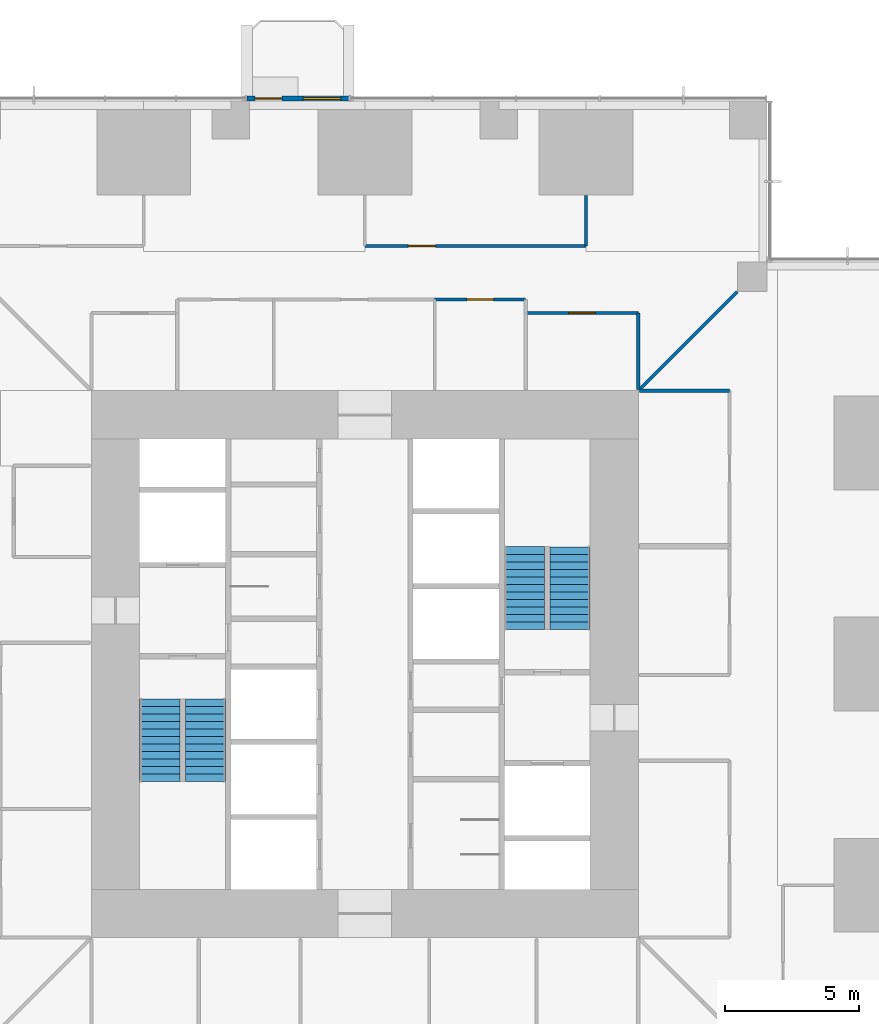
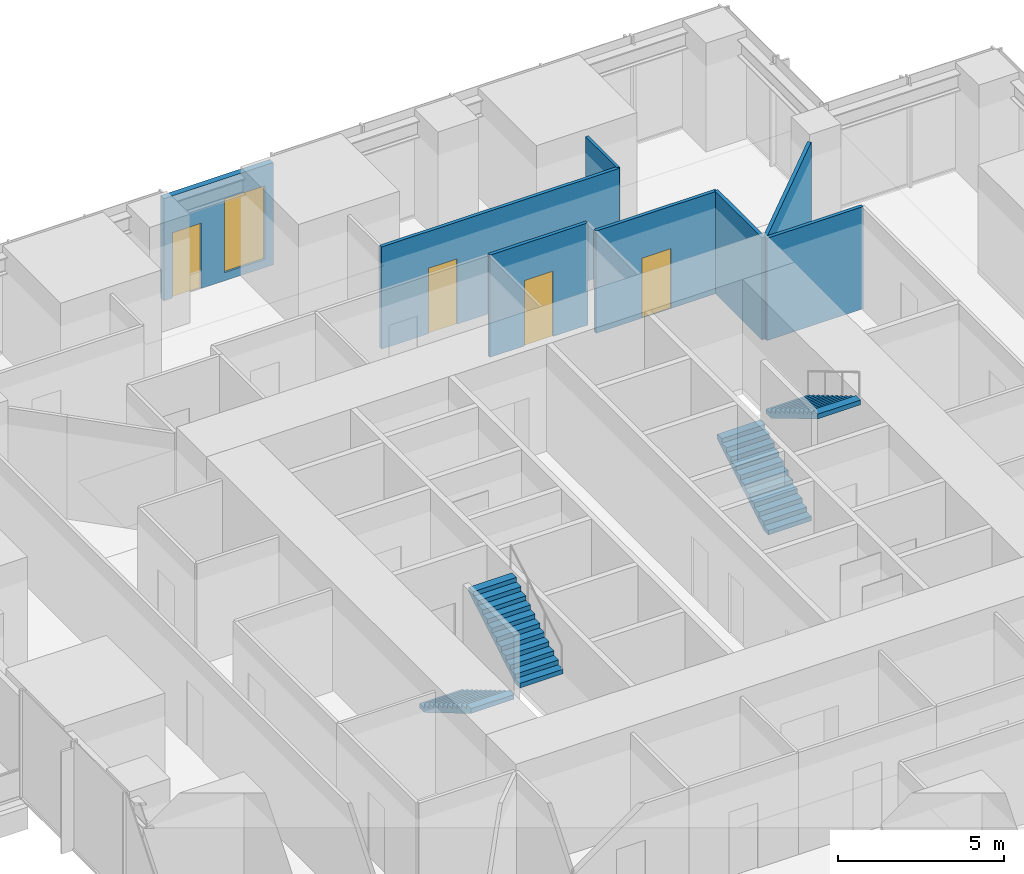
# One storey, part 12 of 15: 8 walls, 4 doors, 4 stair flights, 1 window, 5 openings, 2 elements without a shape of their own.
"""IFC4 building model written with IfcOpenShell, lengths in metres."""

from ifc_helpers import new_model, si_unit, direction, frame, frame_2d, origin, place, context, subcontext, project, spatial, polyline, rectangle, outline, extrude, material, layer, layer_set, type_object, element, fill, aggregate, save


model = new_model("IFC4")

# Units and contexts
model_context = context("Model", 3, precision=1e-05, world=origin(), true_north=direction((0.0, 1.0)))
body_context = subcontext(model_context, "Body", "Model", "MODEL_VIEW")
ifc_project = project(units=[si_unit("LENGTHUNIT", "METRE"), si_unit("AREAUNIT", "SQUARE_METRE"), si_unit("VOLUMEUNIT", "CUBIC_METRE"), si_unit("PLANEANGLEUNIT", "RADIAN"), si_unit("MASSUNIT", "GRAM", prefix="KILO")], contexts=[model_context])

# Site, building, storey
site_placement = place(None, origin())
site = spatial("IfcSite", under=ifc_project, at=site_placement, CompositionType="ELEMENT")
building_placement = place(site_placement, origin())
building = spatial("IfcBuilding", under=site, at=building_placement, Name="Svetlomir Tower", CompositionType="ELEMENT")
storey_placement = place(building_placement, frame((0.0, 0.0, 42.5)))
storey = spatial("IfcBuildingStorey", under=building, at=storey_placement, Name="L09", CompositionType="ELEMENT", Elevation=42.5)

# Wall, openings, door, window
ifc_material_1 = material(Name="Bronze anodised aluminium glazed screen", Category="aluminium")
ifc_layer_1 = layer(ifc_material_1, 0.199951171875)
ifc_layer_set_1 = layer_set([ifc_layer_1], Name="Bronze anodised aluminium glazed screen")
wall_type_1 = type_object("IfcWallType", Name="BALCONY SCREEN WALL 200", PredefinedType="USERDEFINED", material=ifc_layer_set_1)
wall_1_placement = place(storey_placement, frame((20.39990234375, 42.10009765625, 0.0), z_axis=(0.0, 0.0, 1.0), x_axis=(-1.0, 0.0, 0.0)))
wall_1 = element("IfcWall", 1, at=wall_1_placement, inside=storey, type_object=wall_type_1, Name="Balcony screen N", ObjectType="GLAZED SCREEN", PredefinedType="USERDEFINED", context=body_context, shape_type="SweptSolid", body=[
    extrude(rectangle(XDim=3.7998046875, YDim=0.199951171875, at=frame_2d((1.89990234375, 0.0))), origin(), (0.0, 0.0, 1.0), 3.75),
])
opening_1_placement = place(wall_1_placement, frame((2.5, 0.0, 0.0)))
opening_1 = element("IfcOpeningElement", 2, at=opening_1_placement, cuts=wall_1, Name="Opening BD", PredefinedType="OPENING", context=body_context, shape_type="SweptSolid", body=[
    extrude(rectangle(XDim=1.0, YDim=2.39990234375, at=frame_2d((0.5, 1.199951171875))), frame((0.0, 0.10986328125, 0.0), z_axis=(0.0, -1.0, 0.0), x_axis=(1.0, 0.0, 0.0)), (0.0, 0.0, 1.0), 0.219970703125),
])
opening_2_placement = place(wall_1_placement, frame((0.300048828125, 0.0, 0.300048828125)))
opening_2 = element("IfcOpeningElement", 3, at=opening_2_placement, cuts=wall_1, Name="Opening WS2", PredefinedType="OPENING", context=body_context, shape_type="SweptSolid", body=[
    extrude(rectangle(XDim=1.39990234375, YDim=2.699951171875, at=frame_2d((0.699951171875, 1.35009765625))), frame((0.0, 0.10986328125, 0.0), z_axis=(0.0, -1.0, 0.0), x_axis=(1.0, 0.0, 0.0)), (0.0, 0.0, 1.0), 0.219970703125),
])
ifc_material_2 = material(Name="Bronze anodised aluminium glazed door", Category="aluminium")
door_type_1 = type_object("IfcDoorType", Name="BALCONY DOOR BD 1000x2400", OperationType="SINGLE_SWING_LEFT", PredefinedType="DOOR", material=ifc_material_2)
door_1_placement = place(opening_1_placement, origin())
door_1 = element("IfcDoor", 4, at=door_1_placement, inside=storey, type_object=door_type_1, Name="Balcony screen N door", OperationType="SINGLE_SWING_LEFT", OverallHeight=2.39990234375, OverallWidth=1.0, PredefinedType="DOOR", context=body_context, shape_type="SweptSolid", body=[
    extrude(rectangle(XDim=1.0, YDim=2.39990234375, at=frame_2d((0.5, 1.199951171875))), frame((0.0, 0.02490234375, 0.0), z_axis=(0.0, -1.0, 0.0), x_axis=(1.0, 0.0, 0.0)), (0.0, 0.0, 1.0), 0.050048828125),
])
fill(opening_1, door_1)
ifc_material_3 = material(Name="Bronze anodised aluminium window", Category="aluminium")
window_type = type_object("IfcWindowType", Name="SCREEN WINDOW WS2 1400x2700", PartitioningType="SINGLE_PANEL", PredefinedType="WINDOW", material=ifc_material_3)
window_placement = place(opening_2_placement, origin())
window = element("IfcWindow", 5, at=window_placement, inside=storey, type_object=window_type, Name="Balcony screen N window 1", OverallHeight=2.699951171875, OverallWidth=1.39990234375, PartitioningType="SINGLE_PANEL", PredefinedType="WINDOW", context=body_context, shape_type="SweptSolid", body=[
    extrude(rectangle(XDim=1.39990234375, YDim=2.699951171875, at=frame_2d((0.699951171875, 1.35009765625))), frame((0.0, 0.030029296875, 0.0), z_axis=(0.0, -1.0, 0.0), x_axis=(1.0, 0.0, 0.0)), (0.0, 0.0, 1.0), 0.06005859375),
])
fill(opening_2, window)

# Wall
ifc_material_4 = material(Name="Framed laminated glass partition", Category="glass")
ifc_layer_2 = layer(ifc_material_4, 0.10009765625)
ifc_layer_set_2 = layer_set([ifc_layer_2], Name="Framed laminated glass partition")
wall_type_2 = type_object("IfcWallType", Name="GLAZED PARTITION 100", PredefinedType="PARTITIONING", material=ifc_layer_set_2)
wall_2_placement = place(storey_placement, frame((29.25, 36.60009765625, 0.0), z_axis=(0.0, 0.0, 1.0), x_axis=(0.0, 1.0, 0.0)))
element("IfcWall", 6, at=wall_2_placement, inside=storey, type_object=wall_type_2, Name="Glazed partition L09", PredefinedType="PARTITIONING", context=body_context, shape_type="SweptSolid", body=[
    extrude(rectangle(XDim=1.889892578125, YDim=0.10009765625, at=frame_2d((0.94482421875, 0.0))), origin(), (0.0, 0.0, 1.0), 3.75),
])

# Wall, opening, door
ifc_material_5 = material(Name="Gypsum board on steel studs", Category="steel")
ifc_layer_3 = layer(ifc_material_5, 0.1201171875)
ifc_layer_set_3 = layer_set([ifc_layer_3], Name="Gypsum board on steel studs")
wall_type_3 = type_object("IfcWallType", Name="PARTITION 120", PredefinedType="PARTITIONING", material=ifc_layer_set_3)
wall_3_placement = place(storey_placement, frame((21.0, 36.60009765625, 0.0), z_axis=(0.0, 0.0, 1.0), x_axis=(1.0, 0.0, 0.0)))
wall_3 = element("IfcWall", 7, at=wall_3_placement, inside=storey, type_object=wall_type_3, Name="Partition L09", PredefinedType="PARTITIONING", context=body_context, shape_type="SweptSolid", body=[
    extrude(rectangle(XDim=8.25, YDim=0.1201171875, at=frame_2d((4.125, 0.0))), origin(), (0.0, 0.0, 1.0), 3.75),
])
opening_3_placement = place(wall_3_placement, frame((1.625, 0.0, 0.0)))
opening_3 = element("IfcOpeningElement", 8, at=opening_3_placement, cuts=wall_3, Name="Opening DG", PredefinedType="OPENING", context=body_context, shape_type="SweptSolid", body=[
    extrude(rectangle(XDim=1.0, YDim=2.39990234375, at=frame_2d((0.5, 1.199951171875))), frame((0.0, 0.070068359375, 0.0), z_axis=(0.0, -1.0, 0.0), x_axis=(1.0, 0.0, 0.0)), (0.0, 0.0, 1.0), 0.14013671875),
])
ifc_material_6 = material(Name="Framed laminated glass door", Category="glass")
door_type_2 = type_object("IfcDoorType", Name="GLAZED DOOR DG 1000x2400", OperationType="SINGLE_SWING_LEFT", PredefinedType="DOOR", material=ifc_material_6)
door_2_placement = place(opening_3_placement, origin())
door_2 = element("IfcDoor", 9, at=door_2_placement, inside=storey, type_object=door_type_2, Name="Device test room door L09", OperationType="SINGLE_SWING_LEFT", OverallHeight=2.39990234375, OverallWidth=1.0, PredefinedType="DOOR", context=body_context, shape_type="SweptSolid", body=[
    extrude(rectangle(XDim=1.0, YDim=2.39990234375, at=frame_2d((0.5, 1.199951171875))), frame((0.0, 0.02490234375, 0.0), z_axis=(0.0, -1.0, 0.0), x_axis=(1.0, 0.0, 0.0)), (0.0, 0.0, 1.0), 0.050048828125),
])
fill(opening_3, door_2)

wall_4_placement = place(storey_placement, frame((23.60009765625, 34.60009765625, 0.0), z_axis=(0.0, 0.0, 1.0), x_axis=(1.0, 0.0, 0.0)))
wall_4 = element("IfcWall", 10, at=wall_4_placement, inside=storey, type_object=wall_type_3, Name="Partition L09", PredefinedType="PARTITIONING", context=body_context, shape_type="SweptSolid", body=[
    extrude(rectangle(XDim=3.39990234375, YDim=0.1201171875, at=frame_2d((1.699951171875, 0.0))), origin(), (0.0, 0.0, 1.0), 3.75),
])
opening_4_placement = place(wall_4_placement, frame((1.199951171875, 0.0, 0.0)))
opening_4 = element("IfcOpeningElement", 11, at=opening_4_placement, cuts=wall_4, Name="Opening DG", PredefinedType="OPENING", context=body_context, shape_type="SweptSolid", body=[
    extrude(rectangle(XDim=1.0, YDim=2.39990234375, at=frame_2d((0.5, 1.199951171875))), frame((0.0, 0.070068359375, 0.0), z_axis=(0.0, -1.0, 0.0), x_axis=(1.0, 0.0, 0.0)), (0.0, 0.0, 1.0), 0.14013671875),
])
door_3_placement = place(opening_4_placement, origin())
door_3 = element("IfcDoor", 12, at=door_3_placement, inside=storey, type_object=door_type_2, Name="Focus room door L09", OperationType="SINGLE_SWING_LEFT", OverallHeight=2.39990234375, OverallWidth=1.0, PredefinedType="DOOR", context=body_context, shape_type="SweptSolid", body=[
    extrude(rectangle(XDim=1.0, YDim=2.39990234375, at=frame_2d((0.5, 1.199951171875))), frame((0.0, 0.02490234375, 0.0), z_axis=(0.0, -1.0, 0.0), x_axis=(1.0, 0.0, 0.0)), (0.0, 0.0, 1.0), 0.050048828125),
])
fill(opening_4, door_3)

wall_5_placement = place(storey_placement, frame((27.0, 34.10009765625, 0.0), z_axis=(0.0, 0.0, 1.0), x_axis=(1.0, 0.0, 0.0)))
wall_5 = element("IfcWall", 13, at=wall_5_placement, inside=storey, type_object=wall_type_3, Name="Partition L09", PredefinedType="PARTITIONING", context=body_context, shape_type="SweptSolid", body=[
    extrude(rectangle(XDim=4.199951171875, YDim=0.1201171875, at=frame_2d((2.10009765625, 0.0))), origin(), (0.0, 0.0, 1.0), 3.75),
])
opening_5_placement = place(wall_5_placement, frame((1.60009765625, 0.0, 0.0)))
opening_5 = element("IfcOpeningElement", 14, at=opening_5_placement, cuts=wall_5, Name="Opening DR", PredefinedType="OPENING", context=body_context, shape_type="SweptSolid", body=[
    extrude(rectangle(XDim=1.0, YDim=2.199951171875, at=frame_2d((0.5, 1.10009765625))), frame((0.0, 0.070068359375, 0.0), z_axis=(0.0, -1.0, 0.0), x_axis=(1.0, 0.0, 0.0)), (0.0, 0.0, 1.0), 0.14013671875),
])
ifc_material_7 = material(Name="Timber door, glazed side light", Category="wood")
door_type_3 = type_object("IfcDoorType", Name="DOOR DR 1000x2200", OperationType="SINGLE_SWING_LEFT", PredefinedType="DOOR", material=ifc_material_7)
door_4_placement = place(opening_5_placement, origin())
door_4 = element("IfcDoor", 15, at=door_4_placement, inside=storey, type_object=door_type_3, Name="Print and copy room door L09", OperationType="SINGLE_SWING_RIGHT", OverallHeight=2.199951171875, OverallWidth=1.0, PredefinedType="DOOR", context=body_context, shape_type="SweptSolid", body=[
    extrude(rectangle(XDim=1.0, YDim=2.199951171875, at=frame_2d((0.5, 1.10009765625))), frame((0.0, 0.02490234375, 0.0), z_axis=(0.0, -1.0, 0.0), x_axis=(1.0, 0.0, 0.0)), (0.0, 0.0, 1.0), 0.050048828125),
])
fill(opening_5, door_4)

# Walls
wall_6_placement = place(storey_placement, frame((31.199951171875, 31.25, 0.0), z_axis=(0.0, 0.0, 1.0), x_axis=(0.0, 1.0, 0.0)))
element("IfcWall", 16, at=wall_6_placement, inside=storey, type_object=wall_type_3, Name="Partition L09", PredefinedType="PARTITIONING", context=body_context, shape_type="SweptSolid", body=[
    extrude(rectangle(XDim=2.85009765625, YDim=0.1201171875, at=frame_2d((1.425048828125, 0.0))), origin(), (0.0, 0.0, 1.0), 3.75),
])
wall_7_placement = place(storey_placement, frame((31.2353515625, 31.2353515625, 0.0), z_axis=(0.0, 0.0, 1.0), x_axis=(0.707106781187, 0.707106781187, 0.0)))
element("IfcWall", 17, at=wall_7_placement, inside=storey, type_object=wall_type_3, Name="Partition L09", PredefinedType="PARTITIONING", context=body_context, shape_type="SweptSolid", body=[
    extrude(rectangle(XDim=5.168212890625, YDim=0.1201171875, at=frame_2d((2.583984375, 0.0))), origin(), (0.0, 0.0, 1.0), 3.75),
])
wall_8_placement = place(storey_placement, frame((31.25, 31.199951171875, 0.0), z_axis=(0.0, 0.0, 1.0), x_axis=(1.0, 0.0, 0.0)))
element("IfcWall", 18, at=wall_8_placement, inside=storey, type_object=wall_type_3, Name="Partition L09", PredefinedType="PARTITIONING", context=body_context, shape_type="SweptSolid", body=[
    extrude(rectangle(XDim=3.35009765625, YDim=0.1201171875, at=frame_2d((1.675048828125, 0.0))), origin(), (0.0, 0.0, 1.0), 3.75),
])

# Stair, stair flights
ifc_material_8 = material(Name="Concrete C60/75", Category="concrete")
stair_type = type_object("IfcStairType", Name="EXIT STAIR 3200 RISE 4000", PredefinedType="HALF_TURN_STAIR", material=ifc_material_8)
stair_1_placement = place(storey_placement, origin())
stair_1 = element("IfcStair", 19, at=stair_1_placement, inside=storey, type_object=stair_type, Name="Stair S1 L09 to L10", PredefinedType="HALF_TURN_STAIR")
ifc_material_9 = material(Name="Concrete C60/75", Category="concrete")
stair_flight_type = type_object("IfcStairFlightType", Name="STAIR FLIGHT 1500 OF 12 RISERS", PredefinedType="STRAIGHT", material=ifc_material_9)
stair_flight_1_placement = place(storey_placement, frame((13.35009765625, 19.699951171875, 0.0), z_axis=(0.0, 0.0, 1.0), x_axis=(0.0, -1.0, 0.0)))
stair_flight_1 = element("IfcStairFlight", 20, at=stair_flight_1_placement, type_object=stair_flight_type, Name="S1 flight 1", NumberOfRisers=12, NumberOfTreads=11, PredefinedType="STRAIGHT", RiserHeight=0.166666667, TreadLength=0.28, context=body_context, shape_type="SweptSolid", body=[
    extrude(outline(polyline([(0.0, 0.0), (0.0, 0.166748046875), (0.280029296875, 0.166748046875), (0.280029296875, 0.333251953125), (0.56005859375, 0.333251953125), (0.56005859375, 0.5), (0.840087890625, 0.5), (0.840087890625, 0.666748046875), (1.1201171875, 0.666748046875), (1.1201171875, 0.833251953125), (1.39990234375, 0.833251953125), (1.39990234375, 1.0), (1.679931640625, 1.0), (1.679931640625, 1.166748046875), (1.9599609375, 1.166748046875), (1.9599609375, 1.333251953125), (2.239990234375, 1.333251953125), (2.239990234375, 1.5), (2.52001953125, 1.5), (2.52001953125, 1.666748046875), (2.800048828125, 1.666748046875), (2.800048828125, 1.833251953125), (3.080078125, 1.833251953125), (3.080078125, 2.0), (3.080078125, 1.658935546875), (0.29296875, 0.0), (0.0, 0.0)])), frame((0.0, 0.75, 0.0), z_axis=(0.0, -1.0, 0.0), x_axis=(1.0, 0.0, 0.0)), (0.0, 0.0, 1.0), 1.5),
])
stair_flight_2_placement = place(storey_placement, frame((15.050048828125, 16.6201171875, 2.0), z_axis=(0.0, 0.0, 1.0), x_axis=(0.0, 1.0, 0.0)))
stair_flight_2 = element("IfcStairFlight", 21, at=stair_flight_2_placement, type_object=stair_flight_type, Name="S1 flight 2", NumberOfRisers=12, NumberOfTreads=11, PredefinedType="STRAIGHT", RiserHeight=0.166666667, TreadLength=0.28, context=body_context, shape_type="SweptSolid", body=[
    extrude(outline(polyline([(0.0, 0.0), (0.0, 0.166748046875), (0.280029296875, 0.166748046875), (0.280029296875, 0.333251953125), (0.56005859375, 0.333251953125), (0.56005859375, 0.5), (0.840087890625, 0.5), (0.840087890625, 0.666748046875), (1.1201171875, 0.666748046875), (1.1201171875, 0.833251953125), (1.39990234375, 0.833251953125), (1.39990234375, 1.0), (1.679931640625, 1.0), (1.679931640625, 1.166748046875), (1.9599609375, 1.166748046875), (1.9599609375, 1.333251953125), (2.239990234375, 1.333251953125), (2.239990234375, 1.5), (2.52001953125, 1.5), (2.52001953125, 1.666748046875), (2.800048828125, 1.666748046875), (2.800048828125, 1.833251953125), (3.080078125, 1.833251953125), (3.080078125, 2.0), (3.080078125, 1.658935546875), (0.29296875, 0.0), (0.0, 0.0)])), frame((0.0, 0.75, 0.0), z_axis=(0.0, -1.0, 0.0), x_axis=(1.0, 0.0, 0.0)), (0.0, 0.0, 1.0), 1.5),
])
aggregate(stair_1, [stair_flight_1, stair_flight_2])

stair_2_placement = place(storey_placement, origin())
stair_2 = element("IfcStair", 22, at=stair_2_placement, inside=storey, type_object=stair_type, Name="Stair S2 L09 to L10", PredefinedType="HALF_TURN_STAIR")
stair_flight_3_placement = place(storey_placement, frame((26.949951171875, 22.300048828125, 0.0), z_axis=(0.0, 0.0, 1.0), x_axis=(0.0, 1.0, 0.0)))
stair_flight_3 = element("IfcStairFlight", 23, at=stair_flight_3_placement, type_object=stair_flight_type, Name="S2 flight 1", NumberOfRisers=12, NumberOfTreads=11, PredefinedType="STRAIGHT", RiserHeight=0.166666667, TreadLength=0.28, context=body_context, shape_type="SweptSolid", body=[
    extrude(outline(polyline([(0.0, 0.0), (0.0, 0.166748046875), (0.280029296875, 0.166748046875), (0.280029296875, 0.333251953125), (0.56005859375, 0.333251953125), (0.56005859375, 0.5), (0.840087890625, 0.5), (0.840087890625, 0.666748046875), (1.1201171875, 0.666748046875), (1.1201171875, 0.833251953125), (1.39990234375, 0.833251953125), (1.39990234375, 1.0), (1.679931640625, 1.0), (1.679931640625, 1.166748046875), (1.9599609375, 1.166748046875), (1.9599609375, 1.333251953125), (2.239990234375, 1.333251953125), (2.239990234375, 1.5), (2.52001953125, 1.5), (2.52001953125, 1.666748046875), (2.800048828125, 1.666748046875), (2.800048828125, 1.833251953125), (3.080078125, 1.833251953125), (3.080078125, 2.0), (3.080078125, 1.658935546875), (0.29296875, 0.0), (0.0, 0.0)])), frame((0.0, 0.75, 0.0), z_axis=(0.0, -1.0, 0.0), x_axis=(1.0, 0.0, 0.0)), (0.0, 0.0, 1.0), 1.5),
])
stair_flight_4_placement = place(storey_placement, frame((28.64990234375, 25.3798828125, 2.0), z_axis=(0.0, 0.0, 1.0), x_axis=(0.0, -1.0, 0.0)))
stair_flight_4 = element("IfcStairFlight", 24, at=stair_flight_4_placement, type_object=stair_flight_type, Name="S2 flight 2", NumberOfRisers=12, NumberOfTreads=11, PredefinedType="STRAIGHT", RiserHeight=0.166666667, TreadLength=0.28, context=body_context, shape_type="SweptSolid", body=[
    extrude(outline(polyline([(0.0, 0.0), (0.0, 0.166748046875), (0.280029296875, 0.166748046875), (0.280029296875, 0.333251953125), (0.56005859375, 0.333251953125), (0.56005859375, 0.5), (0.840087890625, 0.5), (0.840087890625, 0.666748046875), (1.1201171875, 0.666748046875), (1.1201171875, 0.833251953125), (1.39990234375, 0.833251953125), (1.39990234375, 1.0), (1.679931640625, 1.0), (1.679931640625, 1.166748046875), (1.9599609375, 1.166748046875), (1.9599609375, 1.333251953125), (2.239990234375, 1.333251953125), (2.239990234375, 1.5), (2.52001953125, 1.5), (2.52001953125, 1.666748046875), (2.800048828125, 1.666748046875), (2.800048828125, 1.833251953125), (3.080078125, 1.833251953125), (3.080078125, 2.0), (3.080078125, 1.658935546875), (0.29296875, 0.0), (0.0, 0.0)])), frame((0.0, 0.75, 0.0), z_axis=(0.0, -1.0, 0.0), x_axis=(1.0, 0.0, 0.0)), (0.0, 0.0, 1.0), 1.5),
])
aggregate(stair_2, [stair_flight_3, stair_flight_4])

save(model, "model.ifc")
